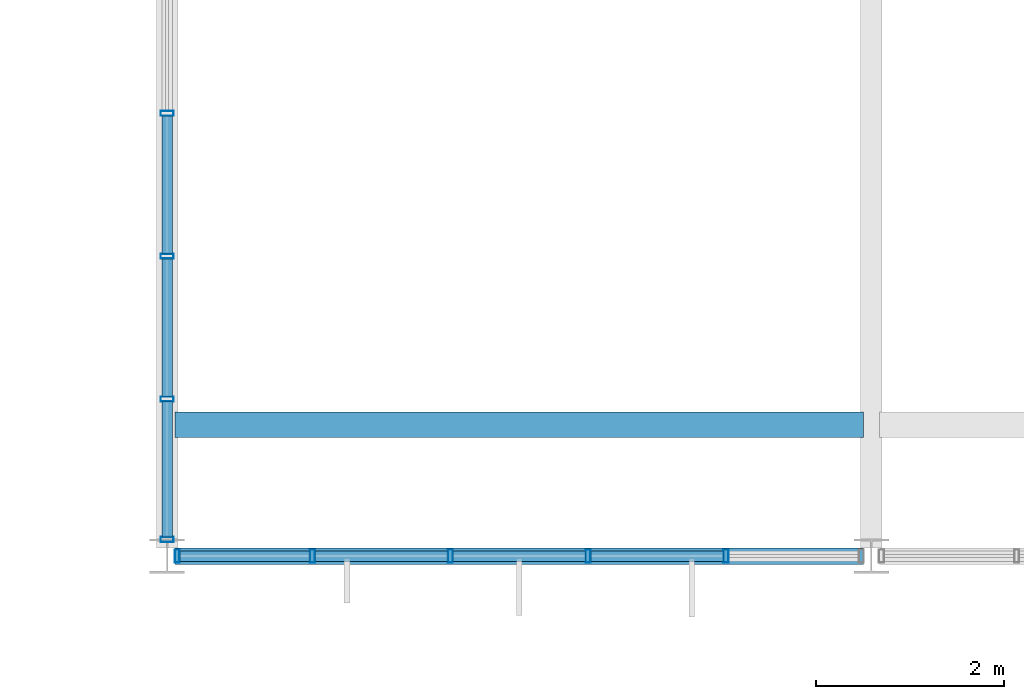
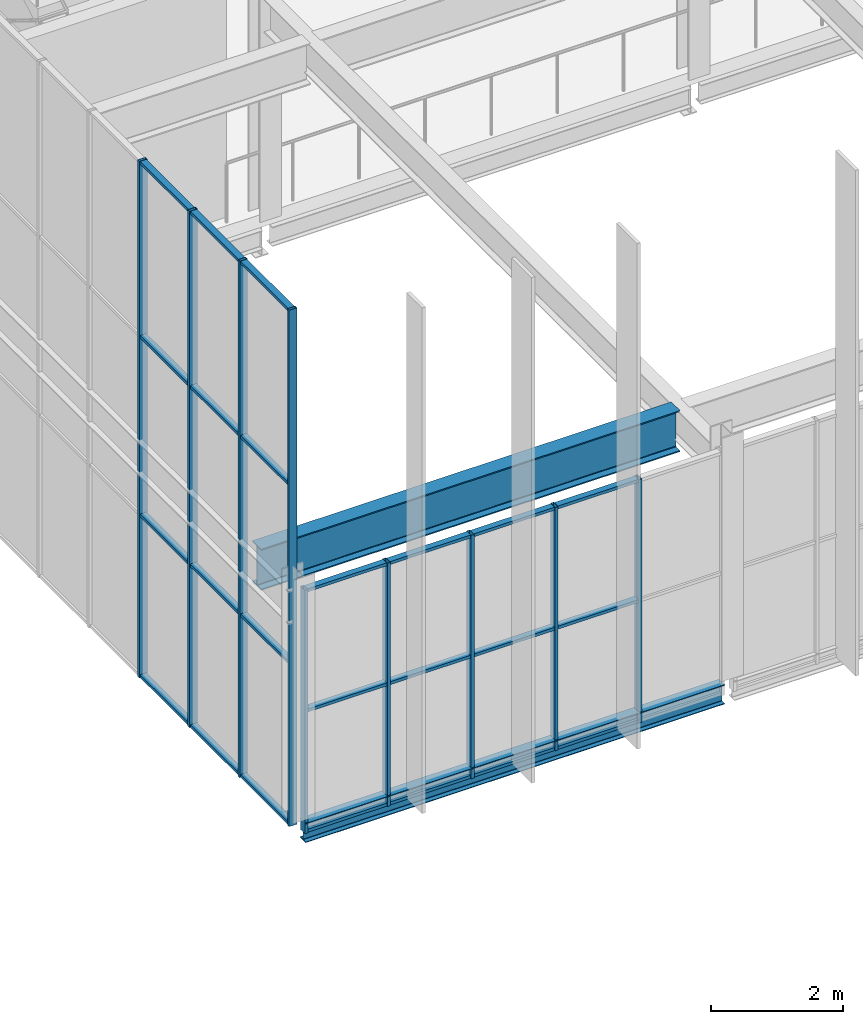
# One storey, part 66 of 324: 33 members, 2 beams, 2 elements without a shape of their own.
"""IFC4 building model written with IfcOpenShell, lengths in metres."""

from ifc_helpers import new_model, si_unit, direction, frame, origin, origin_2d, place, context, subcontext, project, spatial, hollow_rectangle, i_section, extrude, material, layer, layer_set, material_profile, profile_set, type_object, element, aggregate, save


model = new_model("IFC4")

# Units and contexts
model_context = context("Model", 3, precision=1e-05, world=origin(), true_north=direction((0.0, 1.0)))
body_context = subcontext(model_context, "Body", "Model", "MODEL_VIEW")
ifc_project = project(units=[si_unit("LENGTHUNIT", "METRE"), si_unit("AREAUNIT", "SQUARE_METRE"), si_unit("VOLUMEUNIT", "CUBIC_METRE"), si_unit("PLANEANGLEUNIT", "RADIAN"), si_unit("MASSUNIT", "GRAM", prefix="KILO")], contexts=[model_context])

# Site, building, storey
site_placement = place(None, origin())
site = spatial("IfcSite", under=ifc_project, at=site_placement, CompositionType="ELEMENT")
building_placement = place(site_placement, origin())
building = spatial("IfcBuilding", under=site, at=building_placement, Name="Solvenia Promenade Tram Depot", CompositionType="ELEMENT")
storey_placement = place(building_placement, frame((0.0, 0.0, 4.5)))
storey = spatial("IfcBuildingStorey", under=building, at=storey_placement, Name="L01", CompositionType="ELEMENT", Elevation=4.5)

# Curtain wall, members
ifc_material_1 = material(Name="Anodized aluminium AW-6063 T6", Category="aluminium")
ifc_layer = layer(ifc_material_1, 0.080078125, Name="Anodized aluminium AW-6063 T6", Category="aluminium")
ifc_layer_set = layer_set([ifc_layer], Name="Anodized aluminium AW-6063 T6")
curtain_wall_type = type_object("IfcCurtainWallType", Name="CW-Clerest-1500", PredefinedType="NOTDEFINED", material=ifc_layer_set)
curtain_wall_1_placement = place(storey_placement, origin())
curtain_wall_1 = element("IfcCurtainWall", 1, at=curtain_wall_1_placement, inside=storey, type_object=curtain_wall_type, Name="Curtain Wall CW-V2S-L1-01", PredefinedType="NOTDEFINED")
ifc_material_profile_1 = material_profile(ifc_material_1, hollow_rectangle(XDim=0.139892578125, YDim=0.054931640625, WallThickness=0.00390625, at=origin_2d()), Name="ALU-M4", Category="aluminium")
ifc_profile_set_1 = profile_set([ifc_material_profile_1], Name="Anodized aluminium AW-6063 T6")
member_type_1 = type_object("IfcMemberType", Name="CWM-Mullion-4", PredefinedType="MULLION", material=ifc_profile_set_1)
member_1_placement = place(storey_placement, frame((105.107421875, 24.0, -0.35009765625), z_axis=(0.0, 0.0, 1.0), x_axis=(0.0, 1.0, 0.0)))
member_1 = element("IfcMember", 2, at=member_1_placement, type_object=member_type_1, Name="CW-4 mullion 1", PredefinedType="MULLION", context=body_context, shape_type="SweptSolid", body=[
    extrude(hollow_rectangle(XDim=0.139892578125, YDim=0.054931640625, WallThickness=0.00390625, at=origin_2d()), origin(), (0.0, 0.0, 1.0), 4.5),
])
member_2_placement = place(storey_placement, frame((106.548095703125, 24.0, -0.35009765625), z_axis=(0.0, 0.0, 1.0), x_axis=(0.0, 1.0, 0.0)))
member_2 = element("IfcMember", 3, at=member_2_placement, type_object=member_type_1, Name="CW-4 mullion 2", PredefinedType="MULLION", context=body_context, shape_type="SweptSolid", body=[
    extrude(hollow_rectangle(XDim=0.139892578125, YDim=0.054931640625, WallThickness=0.00390625, at=origin_2d()), origin(), (0.0, 0.0, 1.0), 4.5),
])
member_3_placement = place(storey_placement, frame((108.01611328125, 24.0, -0.35009765625), z_axis=(0.0, 0.0, 1.0), x_axis=(0.0, 1.0, 0.0)))
member_3 = element("IfcMember", 4, at=member_3_placement, type_object=member_type_1, Name="CW-4 mullion 3", PredefinedType="MULLION", context=body_context, shape_type="SweptSolid", body=[
    extrude(hollow_rectangle(XDim=0.139892578125, YDim=0.054931640625, WallThickness=0.00390625, at=origin_2d()), origin(), (0.0, 0.0, 1.0), 4.5),
])
member_4_placement = place(storey_placement, frame((109.48388671875, 24.0, -0.35009765625), z_axis=(0.0, 0.0, 1.0), x_axis=(0.0, 1.0, 0.0)))
member_4 = element("IfcMember", 5, at=member_4_placement, type_object=member_type_1, Name="CW-4 mullion 4", PredefinedType="MULLION", context=body_context, shape_type="SweptSolid", body=[
    extrude(hollow_rectangle(XDim=0.139892578125, YDim=0.054931640625, WallThickness=0.00390625, at=origin_2d()), origin(), (0.0, 0.0, 1.0), 4.5),
])
member_5_placement = place(storey_placement, frame((110.951904296875, 24.0, -0.35009765625), z_axis=(0.0, 0.0, 1.0), x_axis=(0.0, 1.0, 0.0)))
member_5 = element("IfcMember", 6, at=member_5_placement, type_object=member_type_1, Name="CW-4 mullion 5", PredefinedType="MULLION", context=body_context, shape_type="SweptSolid", body=[
    extrude(hollow_rectangle(XDim=0.139892578125, YDim=0.054931640625, WallThickness=0.00390625, at=origin_2d()), origin(), (0.0, 0.0, 1.0), 4.5),
])

curtain_wall_2_placement = place(storey_placement, origin())
curtain_wall_2 = element("IfcCurtainWall", 7, at=curtain_wall_2_placement, inside=storey, type_object=curtain_wall_type, Name="Curtain Wall CW-V2W-CRANE-L1", PredefinedType="NOTDEFINED")
member_6_placement = place(storey_placement, frame((105.0, 24.177490234375, -0.300048828125), z_axis=(0.0, 0.0, 1.0), x_axis=(-1.0, 0.0, 0.0)))
member_6 = element("IfcMember", 8, at=member_6_placement, type_object=member_type_1, Name="CW-4 mullion 1", PredefinedType="MULLION", context=body_context, shape_type="SweptSolid", body=[
    extrude(hollow_rectangle(XDim=0.139892578125, YDim=0.054931640625, WallThickness=0.00390625, at=origin_2d()), origin(), (0.0, 0.0, 1.0), 9.550048828125),
])
member_7_placement = place(storey_placement, frame((105.0, 25.672119140625, -0.300048828125), z_axis=(0.0, 0.0, 1.0), x_axis=(-1.0, 0.0, 0.0)))
member_7 = element("IfcMember", 9, at=member_7_placement, type_object=member_type_1, Name="CW-4 mullion 2", PredefinedType="MULLION", context=body_context, shape_type="SweptSolid", body=[
    extrude(hollow_rectangle(XDim=0.139892578125, YDim=0.054931640625, WallThickness=0.00390625, at=origin_2d()), origin(), (0.0, 0.0, 1.0), 9.550048828125),
])
member_8_placement = place(storey_placement, frame((105.0, 27.1943359375, -0.300048828125), z_axis=(0.0, 0.0, 1.0), x_axis=(-1.0, 0.0, 0.0)))
member_8 = element("IfcMember", 10, at=member_8_placement, type_object=member_type_1, Name="CW-4 mullion 3", PredefinedType="MULLION", context=body_context, shape_type="SweptSolid", body=[
    extrude(hollow_rectangle(XDim=0.139892578125, YDim=0.054931640625, WallThickness=0.00390625, at=origin_2d()), origin(), (0.0, 0.0, 1.0), 9.550048828125),
])
member_9_placement = place(storey_placement, frame((105.0, 28.716552734375, -0.300048828125), z_axis=(0.0, 0.0, 1.0), x_axis=(-1.0, 0.0, 0.0)))
member_9 = element("IfcMember", 11, at=member_9_placement, type_object=member_type_1, Name="CW-4 mullion 4", PredefinedType="MULLION", context=body_context, shape_type="SweptSolid", body=[
    extrude(hollow_rectangle(XDim=0.139892578125, YDim=0.054931640625, WallThickness=0.00390625, at=origin_2d()), origin(), (0.0, 0.0, 1.0), 9.550048828125),
])

# Member
ifc_material_profile_2 = material_profile(ifc_material_1, hollow_rectangle(XDim=0.110107421875, YDim=0.054931640625, WallThickness=0.00390625, at=origin_2d()), Name="ALU-T4", Category="aluminium")
ifc_profile_set_2 = profile_set([ifc_material_profile_2], Name="Anodized aluminium AW-6063 T6")
member_type_2 = type_object("IfcMemberType", Name="CWT-Transom-4", PredefinedType="USERDEFINED", material=ifc_profile_set_2)
member_10_placement = place(storey_placement, frame((105.135009765625, 24.0, -0.322509765625), z_axis=(1.0, 0.0, 0.0), x_axis=(0.0, 1.0, 0.0)))
member_10 = element("IfcMember", 12, at=member_10_placement, type_object=member_type_2, Name="CW-4 transom 1.1", ObjectType="TRANSOM", PredefinedType="USERDEFINED", context=body_context, shape_type="SweptSolid", body=[
    extrude(hollow_rectangle(XDim=0.110107421875, YDim=0.054931640625, WallThickness=0.00390625, at=origin_2d()), origin(), (0.0, 0.0, 1.0), 1.385498046875),
])

member_11_placement = place(storey_placement, frame((105.135009765625, 24.0, 1.89990234375), z_axis=(1.0, 0.0, 0.0), x_axis=(0.0, 1.0, 0.0)))
member_11 = element("IfcMember", 13, at=member_11_placement, type_object=member_type_2, Name="CW-4 transom 1.2", ObjectType="TRANSOM", PredefinedType="USERDEFINED", context=body_context, shape_type="SweptSolid", body=[
    extrude(hollow_rectangle(XDim=0.110107421875, YDim=0.054931640625, WallThickness=0.00390625, at=origin_2d()), origin(), (0.0, 0.0, 1.0), 1.385498046875),
])

member_12_placement = place(storey_placement, frame((105.135009765625, 24.0, 4.12255859375), z_axis=(1.0, 0.0, 0.0), x_axis=(0.0, 1.0, 0.0)))
member_12 = element("IfcMember", 14, at=member_12_placement, type_object=member_type_2, Name="CW-4 transom 1.3", ObjectType="TRANSOM", PredefinedType="USERDEFINED", context=body_context, shape_type="SweptSolid", body=[
    extrude(hollow_rectangle(XDim=0.110107421875, YDim=0.054931640625, WallThickness=0.00390625, at=origin_2d()), origin(), (0.0, 0.0, 1.0), 1.385498046875),
])

member_13_placement = place(storey_placement, frame((106.575439453125, 24.0, -0.322509765625), z_axis=(1.0, 0.0, 0.0), x_axis=(0.0, 1.0, 0.0)))
member_13 = element("IfcMember", 15, at=member_13_placement, type_object=member_type_2, Name="CW-4 transom 2.1", ObjectType="TRANSOM", PredefinedType="USERDEFINED", context=body_context, shape_type="SweptSolid", body=[
    extrude(hollow_rectangle(XDim=0.110107421875, YDim=0.054931640625, WallThickness=0.00390625, at=origin_2d()), origin(), (0.0, 0.0, 1.0), 1.4130859375),
])

member_14_placement = place(storey_placement, frame((106.575439453125, 24.0, 1.89990234375), z_axis=(1.0, 0.0, 0.0), x_axis=(0.0, 1.0, 0.0)))
member_14 = element("IfcMember", 16, at=member_14_placement, type_object=member_type_2, Name="CW-4 transom 2.2", ObjectType="TRANSOM", PredefinedType="USERDEFINED", context=body_context, shape_type="SweptSolid", body=[
    extrude(hollow_rectangle(XDim=0.110107421875, YDim=0.054931640625, WallThickness=0.00390625, at=origin_2d()), origin(), (0.0, 0.0, 1.0), 1.4130859375),
])

member_15_placement = place(storey_placement, frame((106.575439453125, 24.0, 4.12255859375), z_axis=(1.0, 0.0, 0.0), x_axis=(0.0, 1.0, 0.0)))
member_15 = element("IfcMember", 17, at=member_15_placement, type_object=member_type_2, Name="CW-4 transom 2.3", ObjectType="TRANSOM", PredefinedType="USERDEFINED", context=body_context, shape_type="SweptSolid", body=[
    extrude(hollow_rectangle(XDim=0.110107421875, YDim=0.054931640625, WallThickness=0.00390625, at=origin_2d()), origin(), (0.0, 0.0, 1.0), 1.4130859375),
])

member_16_placement = place(storey_placement, frame((108.04345703125, 24.0, -0.322509765625), z_axis=(1.0, 0.0, 0.0), x_axis=(0.0, 1.0, 0.0)))
member_16 = element("IfcMember", 18, at=member_16_placement, type_object=member_type_2, Name="CW-4 transom 3.1", ObjectType="TRANSOM", PredefinedType="USERDEFINED", context=body_context, shape_type="SweptSolid", body=[
    extrude(hollow_rectangle(XDim=0.110107421875, YDim=0.054931640625, WallThickness=0.00390625, at=origin_2d()), origin(), (0.0, 0.0, 1.0), 1.4130859375),
])

member_17_placement = place(storey_placement, frame((108.04345703125, 24.0, 1.89990234375), z_axis=(1.0, 0.0, 0.0), x_axis=(0.0, 1.0, 0.0)))
member_17 = element("IfcMember", 19, at=member_17_placement, type_object=member_type_2, Name="CW-4 transom 3.2", ObjectType="TRANSOM", PredefinedType="USERDEFINED", context=body_context, shape_type="SweptSolid", body=[
    extrude(hollow_rectangle(XDim=0.110107421875, YDim=0.054931640625, WallThickness=0.00390625, at=origin_2d()), origin(), (0.0, 0.0, 1.0), 1.4130859375),
])

member_18_placement = place(storey_placement, frame((108.04345703125, 24.0, 4.12255859375), z_axis=(1.0, 0.0, 0.0), x_axis=(0.0, 1.0, 0.0)))
member_18 = element("IfcMember", 20, at=member_18_placement, type_object=member_type_2, Name="CW-4 transom 3.3", ObjectType="TRANSOM", PredefinedType="USERDEFINED", context=body_context, shape_type="SweptSolid", body=[
    extrude(hollow_rectangle(XDim=0.110107421875, YDim=0.054931640625, WallThickness=0.00390625, at=origin_2d()), origin(), (0.0, 0.0, 1.0), 1.4130859375),
])

member_19_placement = place(storey_placement, frame((109.511474609375, 24.0, -0.322509765625), z_axis=(1.0, 0.0, 0.0), x_axis=(0.0, 1.0, 0.0)))
member_19 = element("IfcMember", 21, at=member_19_placement, type_object=member_type_2, Name="CW-4 transom 4.1", ObjectType="TRANSOM", PredefinedType="USERDEFINED", context=body_context, shape_type="SweptSolid", body=[
    extrude(hollow_rectangle(XDim=0.110107421875, YDim=0.054931640625, WallThickness=0.00390625, at=origin_2d()), origin(), (0.0, 0.0, 1.0), 1.4130859375),
])

member_20_placement = place(storey_placement, frame((109.511474609375, 24.0, 1.89990234375), z_axis=(1.0, 0.0, 0.0), x_axis=(0.0, 1.0, 0.0)))
member_20 = element("IfcMember", 22, at=member_20_placement, type_object=member_type_2, Name="CW-4 transom 4.2", ObjectType="TRANSOM", PredefinedType="USERDEFINED", context=body_context, shape_type="SweptSolid", body=[
    extrude(hollow_rectangle(XDim=0.110107421875, YDim=0.054931640625, WallThickness=0.00390625, at=origin_2d()), origin(), (0.0, 0.0, 1.0), 1.4130859375),
])

member_21_placement = place(storey_placement, frame((109.511474609375, 24.0, 4.12255859375), z_axis=(1.0, 0.0, 0.0), x_axis=(0.0, 1.0, 0.0)))
member_21 = element("IfcMember", 23, at=member_21_placement, type_object=member_type_2, Name="CW-4 transom 4.3", ObjectType="TRANSOM", PredefinedType="USERDEFINED", context=body_context, shape_type="SweptSolid", body=[
    extrude(hollow_rectangle(XDim=0.110107421875, YDim=0.054931640625, WallThickness=0.00390625, at=origin_2d()), origin(), (0.0, 0.0, 1.0), 1.4130859375),
])

aggregate(curtain_wall_1, [member_1, member_2, member_3, member_4, member_5, member_10, member_11, member_12, member_13, member_14, member_15, member_16, member_17, member_18, member_19, member_20, member_21])

member_22_placement = place(storey_placement, frame((105.0, 24.205078125, -0.2724609375), z_axis=(0.0, 1.0, 0.0), x_axis=(-1.0, 0.0, 0.0)))
member_22 = element("IfcMember", 24, at=member_22_placement, type_object=member_type_2, Name="CW-4 transom 1.1", ObjectType="TRANSOM", PredefinedType="USERDEFINED", context=body_context, shape_type="SweptSolid", body=[
    extrude(hollow_rectangle(XDim=0.110107421875, YDim=0.054931640625, WallThickness=0.00390625, at=origin_2d()), origin(), (0.0, 0.0, 1.0), 1.439697265625),
])

member_23_placement = place(storey_placement, frame((105.0, 24.205078125, 2.699951171875), z_axis=(0.0, 1.0, 0.0), x_axis=(-1.0, 0.0, 0.0)))
member_23 = element("IfcMember", 25, at=member_23_placement, type_object=member_type_2, Name="CW-4 transom 1.2", ObjectType="TRANSOM", PredefinedType="USERDEFINED", context=body_context, shape_type="SweptSolid", body=[
    extrude(hollow_rectangle(XDim=0.110107421875, YDim=0.054931640625, WallThickness=0.00390625, at=origin_2d()), origin(), (0.0, 0.0, 1.0), 1.439697265625),
])

member_24_placement = place(storey_placement, frame((105.0, 24.205078125, 6.0), z_axis=(0.0, 1.0, 0.0), x_axis=(-1.0, 0.0, 0.0)))
member_24 = element("IfcMember", 26, at=member_24_placement, type_object=member_type_2, Name="CW-4 transom 1.3", ObjectType="TRANSOM", PredefinedType="USERDEFINED", context=body_context, shape_type="SweptSolid", body=[
    extrude(hollow_rectangle(XDim=0.110107421875, YDim=0.054931640625, WallThickness=0.00390625, at=origin_2d()), origin(), (0.0, 0.0, 1.0), 1.439697265625),
])

member_25_placement = place(storey_placement, frame((105.0, 24.205078125, 9.222412109375), z_axis=(0.0, 1.0, 0.0), x_axis=(-1.0, 0.0, 0.0)))
member_25 = element("IfcMember", 27, at=member_25_placement, type_object=member_type_2, Name="CW-4 transom 1.4", ObjectType="TRANSOM", PredefinedType="USERDEFINED", context=body_context, shape_type="SweptSolid", body=[
    extrude(hollow_rectangle(XDim=0.110107421875, YDim=0.054931640625, WallThickness=0.00390625, at=origin_2d()), origin(), (0.0, 0.0, 1.0), 1.439697265625),
])

member_26_placement = place(storey_placement, frame((105.0, 25.69970703125, -0.2724609375), z_axis=(0.0, 1.0, 0.0), x_axis=(-1.0, 0.0, 0.0)))
member_26 = element("IfcMember", 28, at=member_26_placement, type_object=member_type_2, Name="CW-4 transom 2.1", ObjectType="TRANSOM", PredefinedType="USERDEFINED", context=body_context, shape_type="SweptSolid", body=[
    extrude(hollow_rectangle(XDim=0.110107421875, YDim=0.054931640625, WallThickness=0.00390625, at=origin_2d()), origin(), (0.0, 0.0, 1.0), 1.46728515625),
])

member_27_placement = place(storey_placement, frame((105.0, 25.69970703125, 2.699951171875), z_axis=(0.0, 1.0, 0.0), x_axis=(-1.0, 0.0, 0.0)))
member_27 = element("IfcMember", 29, at=member_27_placement, type_object=member_type_2, Name="CW-4 transom 2.2", ObjectType="TRANSOM", PredefinedType="USERDEFINED", context=body_context, shape_type="SweptSolid", body=[
    extrude(hollow_rectangle(XDim=0.110107421875, YDim=0.054931640625, WallThickness=0.00390625, at=origin_2d()), origin(), (0.0, 0.0, 1.0), 1.46728515625),
])

member_28_placement = place(storey_placement, frame((105.0, 25.69970703125, 6.0), z_axis=(0.0, 1.0, 0.0), x_axis=(-1.0, 0.0, 0.0)))
member_28 = element("IfcMember", 30, at=member_28_placement, type_object=member_type_2, Name="CW-4 transom 2.3", ObjectType="TRANSOM", PredefinedType="USERDEFINED", context=body_context, shape_type="SweptSolid", body=[
    extrude(hollow_rectangle(XDim=0.110107421875, YDim=0.054931640625, WallThickness=0.00390625, at=origin_2d()), origin(), (0.0, 0.0, 1.0), 1.46728515625),
])

member_29_placement = place(storey_placement, frame((105.0, 25.69970703125, 9.222412109375), z_axis=(0.0, 1.0, 0.0), x_axis=(-1.0, 0.0, 0.0)))
member_29 = element("IfcMember", 31, at=member_29_placement, type_object=member_type_2, Name="CW-4 transom 2.4", ObjectType="TRANSOM", PredefinedType="USERDEFINED", context=body_context, shape_type="SweptSolid", body=[
    extrude(hollow_rectangle(XDim=0.110107421875, YDim=0.054931640625, WallThickness=0.00390625, at=origin_2d()), origin(), (0.0, 0.0, 1.0), 1.46728515625),
])

member_30_placement = place(storey_placement, frame((105.0, 27.221923828125, -0.2724609375), z_axis=(0.0, 1.0, 0.0), x_axis=(-1.0, 0.0, 0.0)))
member_30 = element("IfcMember", 32, at=member_30_placement, type_object=member_type_2, Name="CW-4 transom 3.1", ObjectType="TRANSOM", PredefinedType="USERDEFINED", context=body_context, shape_type="SweptSolid", body=[
    extrude(hollow_rectangle(XDim=0.110107421875, YDim=0.054931640625, WallThickness=0.00390625, at=origin_2d()), origin(), (0.0, 0.0, 1.0), 1.46728515625),
])

member_31_placement = place(storey_placement, frame((105.0, 27.221923828125, 2.699951171875), z_axis=(0.0, 1.0, 0.0), x_axis=(-1.0, 0.0, 0.0)))
member_31 = element("IfcMember", 33, at=member_31_placement, type_object=member_type_2, Name="CW-4 transom 3.2", ObjectType="TRANSOM", PredefinedType="USERDEFINED", context=body_context, shape_type="SweptSolid", body=[
    extrude(hollow_rectangle(XDim=0.110107421875, YDim=0.054931640625, WallThickness=0.00390625, at=origin_2d()), origin(), (0.0, 0.0, 1.0), 1.46728515625),
])

member_32_placement = place(storey_placement, frame((105.0, 27.221923828125, 6.0), z_axis=(0.0, 1.0, 0.0), x_axis=(-1.0, 0.0, 0.0)))
member_32 = element("IfcMember", 34, at=member_32_placement, type_object=member_type_2, Name="CW-4 transom 3.3", ObjectType="TRANSOM", PredefinedType="USERDEFINED", context=body_context, shape_type="SweptSolid", body=[
    extrude(hollow_rectangle(XDim=0.110107421875, YDim=0.054931640625, WallThickness=0.00390625, at=origin_2d()), origin(), (0.0, 0.0, 1.0), 1.46728515625),
])

member_33_placement = place(storey_placement, frame((105.0, 27.221923828125, 9.222412109375), z_axis=(0.0, 1.0, 0.0), x_axis=(-1.0, 0.0, 0.0)))
member_33 = element("IfcMember", 35, at=member_33_placement, type_object=member_type_2, Name="CW-4 transom 3.4", ObjectType="TRANSOM", PredefinedType="USERDEFINED", context=body_context, shape_type="SweptSolid", body=[
    extrude(hollow_rectangle(XDim=0.110107421875, YDim=0.054931640625, WallThickness=0.00390625, at=origin_2d()), origin(), (0.0, 0.0, 1.0), 1.46728515625),
])

aggregate(curtain_wall_2, [member_6, member_7, member_8, member_9, member_22, member_23, member_24, member_25, member_26, member_27, member_28, member_29, member_30, member_31, member_32, member_33])

# Beams
ifc_material_2 = material(Name="Structural steel ASTM A992 Gr. 50", Category="steel")
ifc_material_profile_3 = material_profile(ifc_material_2, i_section(OverallWidth=0.26708984375, OverallDepth=0.761962890625, WebThickness=0.014404296875, FlangeThickness=0.021484375, FilletRadius=0.01806640625, at=origin_2d()), Name="W760x173", Category="steel")
ifc_profile_set_3 = profile_set([ifc_material_profile_3], Name="Structural steel ASTM A992 Gr. 50")
beam_type_1 = type_object("IfcBeamType", Name="Gird-W760x173", PredefinedType="BEAM", material=ifc_profile_set_3)
beam_1_placement = place(storey_placement, frame((105.0849609375, 25.39990234375, 3.718994140625), z_axis=(1.0, 0.0, 0.0), x_axis=(0.0, 1.0, 0.0)))
element("IfcBeam", 36, at=beam_1_placement, inside=storey, type_object=beam_type_1, Name="Bridge Crane Runway Girder BM-L01-0916", PredefinedType="BEAM", context=body_context, shape_type="SweptSolid", body=[
    extrude(i_section(OverallWidth=0.26708984375, OverallDepth=0.761962890625, WebThickness=0.014404296875, FlangeThickness=0.021484375, FilletRadius=0.01806640625, at=origin_2d()), origin(), (0.0, 0.0, 1.0), 7.330078125),
])
ifc_material_profile_4 = material_profile(ifc_material_2, i_section(OverallWidth=0.172119140625, OverallDepth=0.35791015625, WebThickness=0.0078125, FlangeThickness=0.01318359375, FilletRadius=0.010986328125, at=origin_2d()), Name="W360x57", Category="steel")
ifc_profile_set_4 = profile_set([ifc_material_profile_4], Name="Structural steel ASTM A992 Gr. 50")
beam_type_2 = type_object("IfcBeamType", Name="Spandrel-W360x57", PredefinedType="SPANDREL", material=ifc_profile_set_4)
beam_2_placement = place(storey_placement, frame((105.0849609375, 24.0, -0.3291015625), z_axis=(1.0, 0.0, 0.0), x_axis=(0.0, 1.0, 0.0)))
element("IfcBeam", 37, at=beam_2_placement, inside=storey, type_object=beam_type_2, Name="Crane Hall L01 Facade Girt BM-L01-0988", PredefinedType="SPANDREL", context=body_context, shape_type="SweptSolid", body=[
    extrude(i_section(OverallWidth=0.172119140625, OverallDepth=0.35791015625, WebThickness=0.0078125, FlangeThickness=0.01318359375, FilletRadius=0.010986328125, at=origin_2d()), origin(), (0.0, 0.0, 1.0), 7.330078125),
])

save(model, "model.ifc")
